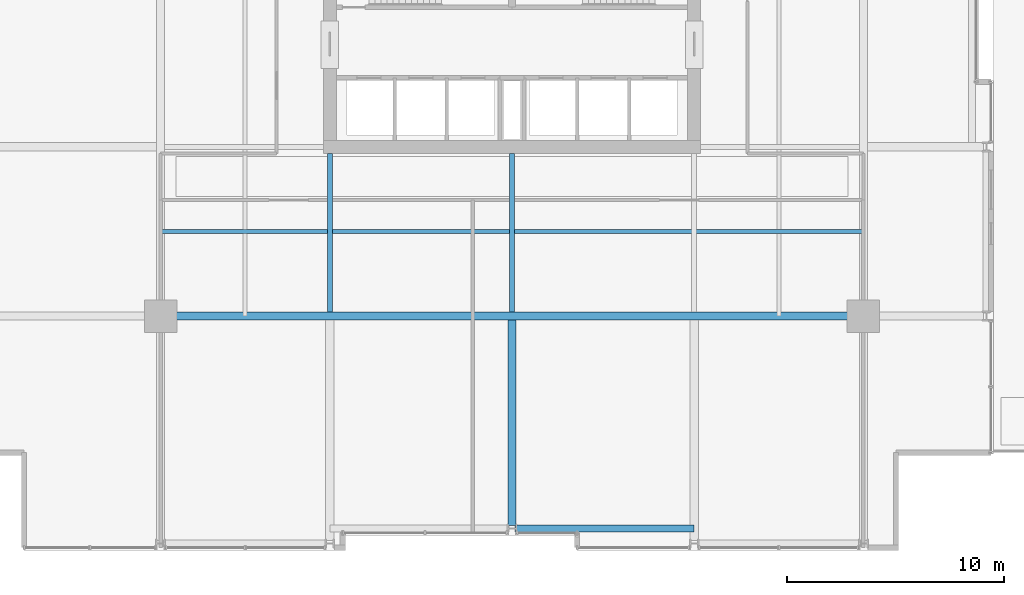
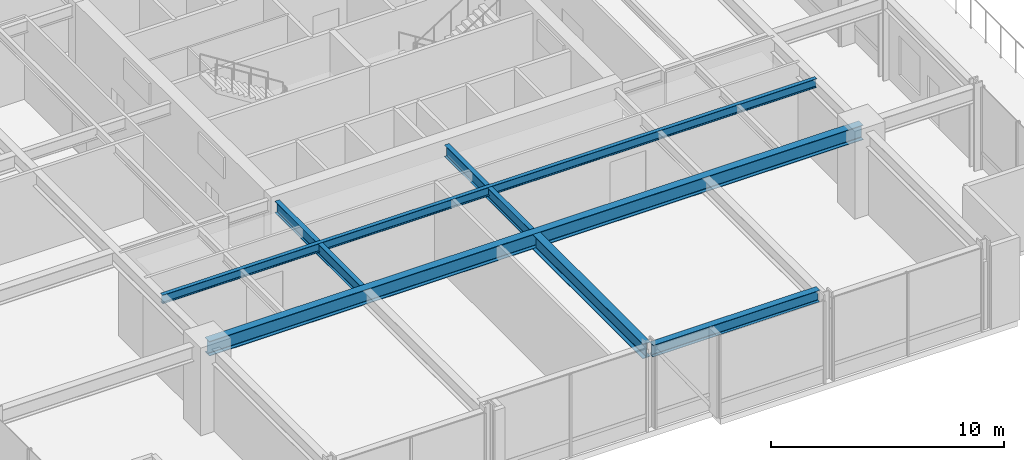
# One storey, part 6 of 33: 6 beams.
"""IFC4 building model written with IfcOpenShell, lengths in metres."""

from ifc_helpers import new_model, si_unit, direction, frame, origin, origin_2d, place, context, subcontext, project, spatial, i_section, extrude, material, material_profile, profile_set, type_object, element, save


model = new_model("IFC4")

# Units and contexts
model_context = context("Model", 3, precision=1e-05, world=origin(), true_north=direction((0.0, 1.0)))
body_context = subcontext(model_context, "Body", "Model", "MODEL_VIEW")
ifc_project = project(units=[si_unit("LENGTHUNIT", "METRE"), si_unit("AREAUNIT", "SQUARE_METRE"), si_unit("VOLUMEUNIT", "CUBIC_METRE"), si_unit("PLANEANGLEUNIT", "RADIAN"), si_unit("MASSUNIT", "GRAM", prefix="KILO")], contexts=[model_context])

# Site, building, storey
site_placement = place(None, origin())
site = spatial("IfcSite", under=ifc_project, at=site_placement, CompositionType="ELEMENT")
building_placement = place(site_placement, origin())
building = spatial("IfcBuilding", under=site, at=building_placement, Name="Drelvath Grand Hotel", CompositionType="ELEMENT")
storey_placement = place(building_placement, frame((0.0, 0.0, 87.199951171875)))
storey = spatial("IfcBuildingStorey", under=building, at=storey_placement, Name="L21", CompositionType="ELEMENT", Elevation=87.199951171875)

# Beams
ifc_material = material(Name="Steel ASTM A992 Gr 50", Category="steel")
ifc_material_profile_1 = material_profile(ifc_material, i_section(OverallWidth=0.19140625, OverallDepth=0.4599609375, WebThickness=0.010009765625, FlangeThickness=0.01611328125, FilletRadius=0.01611328125, at=origin_2d()), Name="W18X55")
ifc_profile_set_1 = profile_set([ifc_material_profile_1], Name="Steel ASTM A992 Gr 50")
beam_type_1 = type_object("IfcBeamType", Name="Composite Floor Joist W18X55", PredefinedType="JOIST", material=ifc_profile_set_1)
beam_1_placement = place(storey_placement, frame((-16.199951171875, 14.699951171875, 4.110107421875), z_axis=(1.0, 0.0, 0.0), x_axis=(0.0, 1.0, 0.0)))
element("IfcBeam", 1, at=beam_1_placement, inside=storey, type_object=beam_type_1, Name="L21 Floor Joist J1", PredefinedType="JOIST", context=body_context, shape_type="SweptSolid", body=[
    extrude(i_section(OverallWidth=0.19140625, OverallDepth=0.4599609375, WebThickness=0.010009765625, FlangeThickness=0.01611328125, FilletRadius=0.01611328125, at=origin_2d()), origin(), (0.0, 0.0, 1.0), 32.39990234375),
])
ifc_material_profile_2 = material_profile(ifc_material, i_section(OverallWidth=0.323974609375, OverallDepth=0.611083984375, WebThickness=0.0126953125, FlangeThickness=0.01904296875, FilletRadius=0.02197265625, at=origin_2d()), Name="W24X104")
ifc_profile_set_2 = profile_set([ifc_material_profile_2], Name="Steel ASTM A992 Gr 50")
beam_type_2 = type_object("IfcBeamType", Name="Perimeter Spandrel Beam W24X104", PredefinedType="SPANDREL", material=ifc_profile_set_2)
beam_2_placement = place(storey_placement, frame((0.139892578125, 1.0, 4.03466796875), z_axis=(1.0, 0.0, 0.0), x_axis=(0.0, 1.0, 0.0)))
element("IfcBeam", 2, at=beam_2_placement, inside=storey, type_object=beam_type_2, Name="L21 Spandrel South Mid E", PredefinedType="SPANDREL", context=body_context, shape_type="SweptSolid", body=[
    extrude(i_section(OverallWidth=0.323974609375, OverallDepth=0.611083984375, WebThickness=0.0126953125, FlangeThickness=0.01904296875, FilletRadius=0.02197265625, at=origin_2d()), origin(), (0.0, 0.0, 1.0), 8.260009765625),
])
ifc_material_profile_3 = material_profile(ifc_material, i_section(OverallWidth=0.228271484375, OverallDepth=0.607666015625, WebThickness=0.01123046875, FlangeThickness=0.017333984375, FilletRadius=0.02001953125, at=origin_2d()), Name="W24X76")
ifc_profile_set_3 = profile_set([ifc_material_profile_3], Name="Steel ASTM A992 Gr 50")
beam_type_3 = type_object("IfcBeamType", Name="Primary Floor Girder W24X76", PredefinedType="BEAM", material=ifc_profile_set_3)
for number, where, z_axis, x_axis, name in (
    (3, (-8.39990234375, 10.990234375, 4.0361328125), (0.0, 1.0, 0.0), (-1.0, 0.0, 0.0), "L21 South Core Tie 4"),
    (4, (0.0, 10.990234375, 4.0361328125), (0.0, 1.0, 0.0), (-1.0, 0.0, 0.0), "L21 South Core Tie 5"),
):
    element("IfcBeam", number, at=place(storey_placement, frame(where, z_axis=z_axis, x_axis=x_axis)), inside=storey, type_object=beam_type_3, Name=name, PredefinedType="BEAM", context=body_context, shape_type="SweptSolid", body=[
        extrude(i_section(OverallWidth=0.228271484375, OverallDepth=0.607666015625, WebThickness=0.01123046875, FlangeThickness=0.017333984375, FilletRadius=0.02001953125, at=origin_2d()), origin(), (0.0, 0.0, 1.0), 7.309814453125),
    ])
ifc_material_profile_4 = material_profile(ifc_material, i_section(OverallWidth=0.380615234375, OverallDepth=0.773193359375, WebThickness=0.0166015625, FlangeThickness=0.027099609375, FilletRadius=0.02490234375, at=origin_2d()), Name="W30X173")
ifc_profile_set_4 = profile_set([ifc_material_profile_4], Name="Steel ASTM A992 Gr 50")
beam_type_4 = type_object("IfcBeamType", Name="Primary Floor Girder W30X173", PredefinedType="BEAM", material=ifc_profile_set_4)
beam_3_placement = place(storey_placement, frame((-16.199951171875, 10.800048828125, 3.953369140625), z_axis=(1.0, 0.0, 0.0), x_axis=(0.0, 1.0, 0.0)))
element("IfcBeam", 5, at=beam_3_placement, inside=storey, type_object=beam_type_4, Name="L21 Mega Ring Girder South", PredefinedType="BEAM", context=body_context, shape_type="SweptSolid", body=[
    extrude(i_section(OverallWidth=0.380615234375, OverallDepth=0.773193359375, WebThickness=0.0166015625, FlangeThickness=0.027099609375, FilletRadius=0.02490234375, at=origin_2d()), origin(), (0.0, 0.0, 1.0), 32.39990234375),
])
beam_4_placement = place(storey_placement, frame((0.0, 1.139892578125, 3.953369140625), z_axis=(0.0, 1.0, 0.0), x_axis=(-1.0, 0.0, 0.0)))
element("IfcBeam", 6, at=beam_4_placement, inside=storey, type_object=beam_type_4, Name="L21 South Wing Girder 5", PredefinedType="BEAM", context=body_context, shape_type="SweptSolid", body=[
    extrude(i_section(OverallWidth=0.380615234375, OverallDepth=0.773193359375, WebThickness=0.0166015625, FlangeThickness=0.027099609375, FilletRadius=0.02490234375, at=origin_2d()), origin(), (0.0, 0.0, 1.0), 9.4697265625),
])

save(model, "model.ifc")
